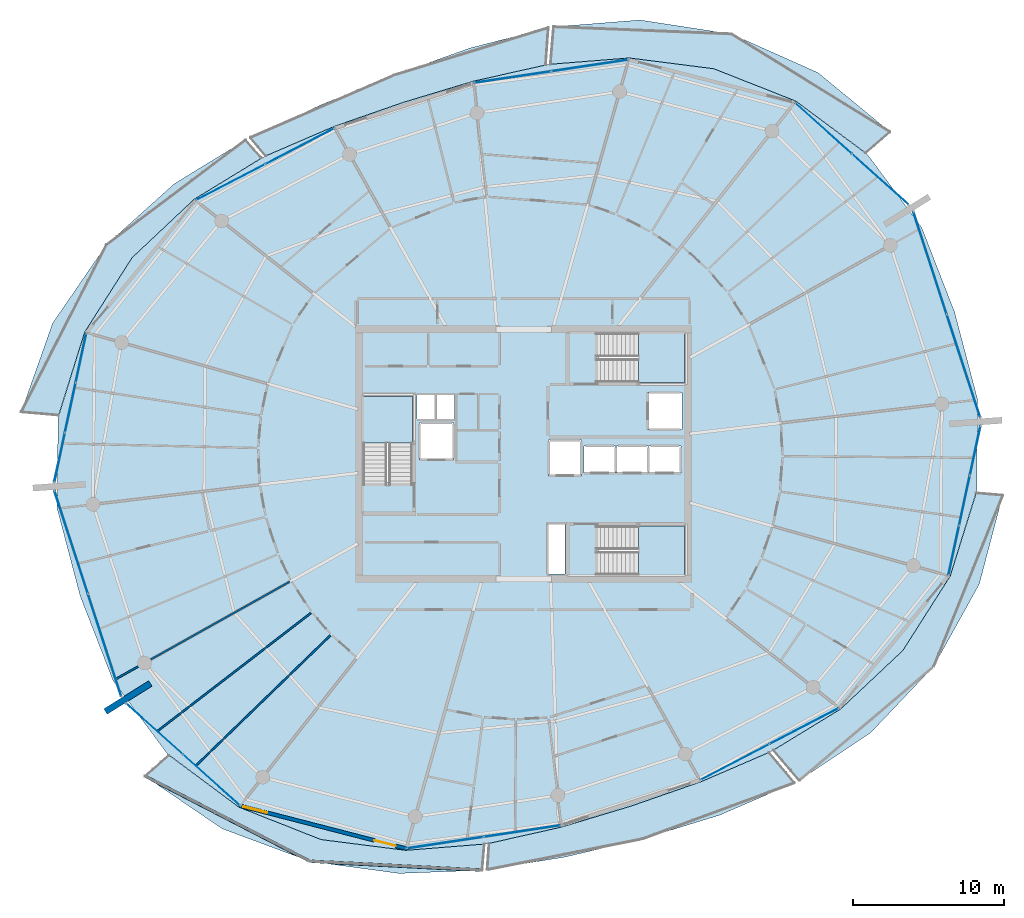
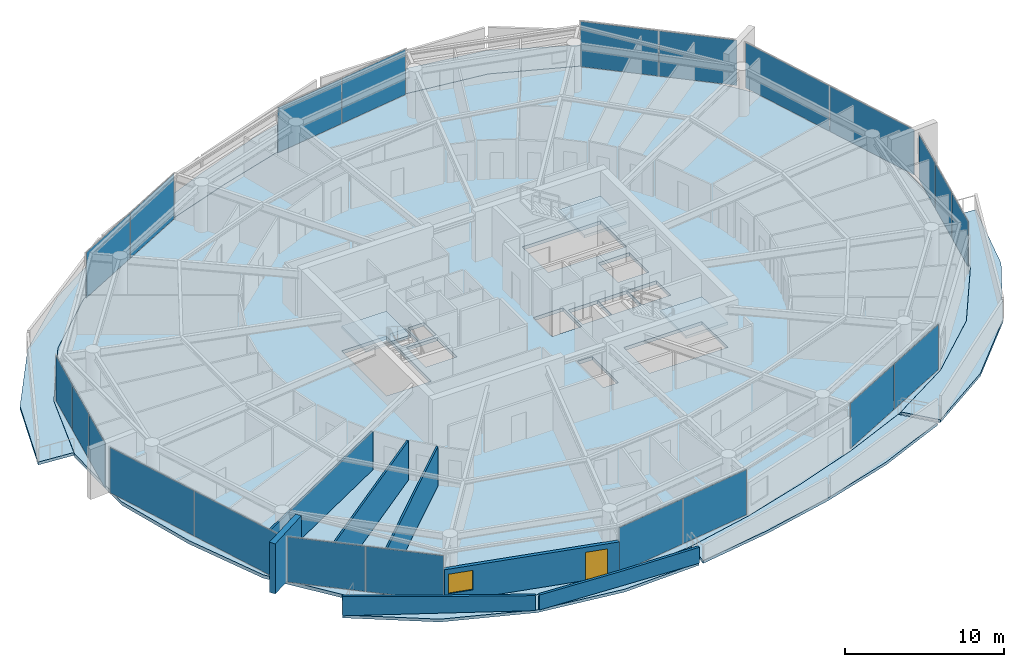
# One storey, part 16 of 29: 22 plates, 10 slabs, 7 walls, 1 door, 1 window, 2 openings, 13 elements without a shape of their own.
"""IFC4 building model written with IfcOpenShell, lengths in metres."""

from ifc_helpers import new_model, si_unit, direction, frame, frame_2d, origin, origin_2d, place, context, subcontext, project, spatial, polyline, rectangle, outline, extrude, material, layer, layer_set, type_object, element, fill, aggregate, save


model = new_model("IFC4")

# Units and contexts
model_context = context("Model", 3, precision=1e-05, world=origin(), true_north=direction((0.0, 1.0)))
body_context = subcontext(model_context, "Body", "Model", "MODEL_VIEW")
ifc_project = project(units=[si_unit("LENGTHUNIT", "METRE"), si_unit("AREAUNIT", "SQUARE_METRE"), si_unit("VOLUMEUNIT", "CUBIC_METRE"), si_unit("PLANEANGLEUNIT", "RADIAN"), si_unit("MASSUNIT", "GRAM", prefix="KILO")], contexts=[model_context])

# Site, building, storey
site_placement = place(None, origin())
site = spatial("IfcSite", under=ifc_project, at=site_placement, CompositionType="ELEMENT")
building_placement = place(site_placement, origin())
building = spatial("IfcBuilding", under=site, at=building_placement, Name="Kazma Halo Residences", CompositionType="ELEMENT")
storey_placement = place(building_placement, frame((0.0, 0.0, 286.75)))
storey = spatial("IfcBuildingStorey", under=building, at=storey_placement, Name="L72", CompositionType="ELEMENT", Elevation=286.75)

# Curtain wall, plates
ifc_material_1 = material(Name="Aluminium AW-6063 T6 and Triple-Silver Low-E Glass", Category="aluminium")
ifc_layer_1 = layer(ifc_material_1, 0.139892578125)
ifc_layer_set_1 = layer_set([ifc_layer_1], Name="Aluminium AW-6063 T6 and Triple-Silver Low-E Glass")
curtain_wall_type = type_object("IfcCurtainWallType", Name="CW-SYS-5", PredefinedType="NOTDEFINED", material=ifc_layer_set_1)
curtain_wall_1_placement = place(storey_placement, origin())
curtain_wall_1 = element("IfcCurtainWall", 1, at=curtain_wall_1_placement, inside=storey, type_object=curtain_wall_type, Name="L72 unitised curtain wall B01", PredefinedType="NOTDEFINED")
ifc_material_2 = material(Name="Clear Triple-Silver Low-E Glass IGU", Category="glass")
ifc_layer_2 = layer(ifc_material_2, 0.02587890625)
ifc_layer_set_2 = layer_set([ifc_layer_2], Name="Clear Triple-Silver Low-E Glass IGU")
plate_type = type_object("IfcPlateType", Name="CW-SYS-5-PNL", PredefinedType="CURTAIN_PANEL", material=ifc_layer_set_2)
plate_1_placement = place(storey_placement, frame((72.002685546875, 60.179443359375, 0.06005859375), z_axis=(0.0, 0.0, 1.0), x_axis=(-0.744336424671, 0.667804826958, 0.0)))
plate_1 = element("IfcPlate", 2, at=plate_1_placement, type_object=plate_type, Name="CWS-5 panel 1.1", PredefinedType="CURTAIN_PANEL", context=body_context, shape_type="SweptSolid", body=[
    extrude(rectangle(XDim=4.993408203125, YDim=0.02587890625, at=origin_2d()), origin(), (0.0, 0.0, 1.0), 3.469970703125),
])
plate_2_placement = place(storey_placement, frame((68.2412109375, 63.55419921875, 0.06005859375), z_axis=(0.0, 0.0, 1.0), x_axis=(-0.744336424671, 0.667804826958, 0.0)))
plate_2 = element("IfcPlate", 3, at=plate_2_placement, type_object=plate_type, Name="CWS-5 panel 2.1", PredefinedType="CURTAIN_PANEL", context=body_context, shape_type="SweptSolid", body=[
    extrude(rectangle(XDim=4.993408203125, YDim=0.02587890625, at=origin_2d()), origin(), (0.0, 0.0, 1.0), 3.469970703125),
])
aggregate(curtain_wall_1, [plate_1, plate_2])

curtain_wall_2_placement = place(storey_placement, origin())
curtain_wall_2 = element("IfcCurtainWall", 4, at=curtain_wall_2_placement, inside=storey, type_object=curtain_wall_type, Name="L72 unitised curtain wall B03", PredefinedType="NOTDEFINED")
plate_3_placement = place(storey_placement, frame((52.77783203125, 67.70361328125, 0.06005859375), z_axis=(0.0, 0.0, 1.0), x_axis=(-0.988882792998, -0.148697080374, 0.0)))
plate_3 = element("IfcPlate", 5, at=plate_3_placement, type_object=plate_type, Name="CWS-5 panel 1.1", PredefinedType="CURTAIN_PANEL", context=body_context, shape_type="SweptSolid", body=[
    extrude(rectangle(XDim=5.099853515625, YDim=0.02587890625, at=origin_2d()), origin(), (0.0, 0.0, 1.0), 3.469970703125),
])
plate_4_placement = place(storey_placement, frame((47.67529296875, 66.936279296875, 0.06005859375), z_axis=(0.0, 0.0, 1.0), x_axis=(-0.988882792998, -0.148697080374, 0.0)))
plate_4 = element("IfcPlate", 6, at=plate_4_placement, type_object=plate_type, Name="CWS-5 panel 2.1", PredefinedType="CURTAIN_PANEL", context=body_context, shape_type="SweptSolid", body=[
    extrude(rectangle(XDim=5.099853515625, YDim=0.02587890625, at=origin_2d()), origin(), (0.0, 0.0, 1.0), 3.469970703125),
])
aggregate(curtain_wall_2, [plate_3, plate_4])

curtain_wall_3_placement = place(storey_placement, origin())
curtain_wall_3 = element("IfcCurtainWall", 7, at=curtain_wall_3_placement, inside=storey, type_object=curtain_wall_type, Name="L72 unitised curtain wall B05", PredefinedType="NOTDEFINED")
plate_5_placement = place(storey_placement, frame((33.60546875, 62.36474609375, 0.06005859375), z_axis=(0.0, 0.0, 1.0), x_axis=(-0.887420518694, -0.460960760804, 0.0)))
plate_5 = element("IfcPlate", 8, at=plate_5_placement, type_object=plate_type, Name="CWS-5 panel 1.1", PredefinedType="CURTAIN_PANEL", context=body_context, shape_type="SweptSolid", body=[
    extrude(rectangle(XDim=5.099609375, YDim=0.02587890625, at=origin_2d()), origin(), (0.0, 0.0, 1.0), 3.469970703125),
])
plate_6_placement = place(storey_placement, frame((29.026611328125, 59.986328125, 0.06005859375), z_axis=(0.0, 0.0, 1.0), x_axis=(-0.887420518694, -0.460960760804, 0.0)))
plate_6 = element("IfcPlate", 9, at=plate_6_placement, type_object=plate_type, Name="CWS-5 panel 2.1", PredefinedType="CURTAIN_PANEL", context=body_context, shape_type="SweptSolid", body=[
    extrude(rectangle(XDim=5.099609375, YDim=0.02587890625, at=origin_2d()), origin(), (0.0, 0.0, 1.0), 3.469970703125),
])
aggregate(curtain_wall_3, [plate_5, plate_6])

curtain_wall_4_placement = place(storey_placement, origin())
curtain_wall_4 = element("IfcCurtainWall", 10, at=curtain_wall_4_placement, inside=storey, type_object=curtain_wall_type, Name="L72 unitised curtain wall B07", PredefinedType="NOTDEFINED")
plate_7_placement = place(storey_placement, frame((19.133056640625, 48.36865234375, 0.06005859375), z_axis=(0.0, 0.0, 1.0), x_axis=(-0.209657382603, -0.97777491373, 0.0)))
plate_7 = element("IfcPlate", 11, at=plate_7_placement, type_object=plate_type, Name="CWS-5 panel 1.1", PredefinedType="CURTAIN_PANEL", context=body_context, shape_type="SweptSolid", body=[
    extrude(rectangle(XDim=3.299072265625, YDim=0.02587890625, at=origin_2d()), origin(), (0.0, 0.0, 1.0), 3.469970703125),
])
plate_8_placement = place(storey_placement, frame((18.42578125, 45.069580078125, 0.06005859375), z_axis=(0.0, 0.0, 1.0), x_axis=(-0.209657382603, -0.97777491373, 0.0)))
plate_8 = element("IfcPlate", 12, at=plate_8_placement, type_object=plate_type, Name="CWS-5 panel 2.1", PredefinedType="CURTAIN_PANEL", context=body_context, shape_type="SweptSolid", body=[
    extrude(rectangle(XDim=3.3291015625, YDim=0.02587890625, at=origin_2d()), origin(), (0.0, 0.0, 1.0), 3.469970703125),
])
plate_9_placement = place(storey_placement, frame((17.71826171875, 41.7705078125, 0.06005859375), z_axis=(0.0, 0.0, 1.0), x_axis=(-0.209657382603, -0.97777491373, 0.0)))
plate_9 = element("IfcPlate", 13, at=plate_9_placement, type_object=plate_type, Name="CWS-5 panel 3.1", PredefinedType="CURTAIN_PANEL", context=body_context, shape_type="SweptSolid", body=[
    extrude(rectangle(XDim=3.299072265625, YDim=0.02587890625, at=origin_2d()), origin(), (0.0, 0.0, 1.0), 3.469970703125),
])
aggregate(curtain_wall_4, [plate_7, plate_8, plate_9])

curtain_wall_5_placement = place(storey_placement, origin())
curtain_wall_5 = element("IfcCurtainWall", 14, at=curtain_wall_5_placement, inside=storey, type_object=curtain_wall_type, Name="L72 unitised curtain wall B08", PredefinedType="NOTDEFINED")
plate_10_placement = place(storey_placement, frame((18.48486328125, 36.1787109375, 0.06005859375), z_axis=(0.0, 0.0, 1.0), x_axis=(0.309010998786, -0.951058464359, 0.0)))
plate_10 = element("IfcPlate", 15, at=plate_10_placement, type_object=plate_type, Name="CWS-5 panel 1.1", PredefinedType="CURTAIN_PANEL", context=body_context, shape_type="SweptSolid", body=[
    extrude(rectangle(XDim=7.108642578125, YDim=0.02587890625, at=origin_2d()), origin(), (0.0, 0.0, 1.0), 3.469970703125),
])
plate_11_placement = place(storey_placement, frame((20.699951171875, 29.36083984375, 0.06005859375), z_axis=(0.0, 0.0, 1.0), x_axis=(0.309010998786, -0.951058464359, 0.0)))
plate_11 = element("IfcPlate", 16, at=plate_11_placement, type_object=plate_type, Name="CWS-5 panel 2.1", PredefinedType="CURTAIN_PANEL", context=body_context, shape_type="SweptSolid", body=[
    extrude(rectangle(XDim=7.108642578125, YDim=0.02587890625, at=origin_2d()), origin(), (0.0, 0.0, 1.0), 3.469970703125),
])
aggregate(curtain_wall_5, [plate_10, plate_11])

curtain_wall_6_placement = place(storey_placement, origin())
curtain_wall_6 = element("IfcCurtainWall", 17, at=curtain_wall_6_placement, inside=storey, type_object=curtain_wall_type, Name="L72 unitised curtain wall B09", PredefinedType="NOTDEFINED")
plate_12_placement = place(storey_placement, frame((23.997314453125, 23.820556640625, 0.06005859375), z_axis=(0.0, 0.0, 1.0), x_axis=(0.744336424671, -0.667804826958, 0.0)))
plate_12 = element("IfcPlate", 18, at=plate_12_placement, type_object=plate_type, Name="CWS-5 panel 1.1", PredefinedType="CURTAIN_PANEL", context=body_context, shape_type="SweptSolid", body=[
    extrude(rectangle(XDim=4.993408203125, YDim=0.02587890625, at=origin_2d()), origin(), (0.0, 0.0, 1.0), 3.469970703125),
])
plate_13_placement = place(storey_placement, frame((27.7587890625, 20.44580078125, 0.06005859375), z_axis=(0.0, 0.0, 1.0), x_axis=(0.744336424671, -0.667804826958, 0.0)))
plate_13 = element("IfcPlate", 19, at=plate_13_placement, type_object=plate_type, Name="CWS-5 panel 2.1", PredefinedType="CURTAIN_PANEL", context=body_context, shape_type="SweptSolid", body=[
    extrude(rectangle(XDim=4.993408203125, YDim=0.02587890625, at=origin_2d()), origin(), (0.0, 0.0, 1.0), 3.469970703125),
])
aggregate(curtain_wall_6, [plate_12, plate_13])

curtain_wall_7_placement = place(storey_placement, origin())
curtain_wall_7 = element("IfcCurtainWall", 20, at=curtain_wall_7_placement, inside=storey, type_object=curtain_wall_type, Name="L72 unitised curtain wall B11", PredefinedType="NOTDEFINED")
plate_14_placement = place(storey_placement, frame((43.22216796875, 16.29638671875, 0.06005859375), z_axis=(0.0, 0.0, 1.0), x_axis=(0.988882792998, 0.148697080374, 0.0)))
plate_14 = element("IfcPlate", 21, at=plate_14_placement, type_object=plate_type, Name="CWS-5 panel 1.1", PredefinedType="CURTAIN_PANEL", context=body_context, shape_type="SweptSolid", body=[
    extrude(rectangle(XDim=5.099853515625, YDim=0.02587890625, at=origin_2d()), origin(), (0.0, 0.0, 1.0), 3.469970703125),
])
plate_15_placement = place(storey_placement, frame((48.32470703125, 17.063720703125, 0.06005859375), z_axis=(0.0, 0.0, 1.0), x_axis=(0.988882792998, 0.148697080374, 0.0)))
plate_15 = element("IfcPlate", 22, at=plate_15_placement, type_object=plate_type, Name="CWS-5 panel 2.1", PredefinedType="CURTAIN_PANEL", context=body_context, shape_type="SweptSolid", body=[
    extrude(rectangle(XDim=5.099853515625, YDim=0.02587890625, at=origin_2d()), origin(), (0.0, 0.0, 1.0), 3.469970703125),
])
aggregate(curtain_wall_7, [plate_14, plate_15])

curtain_wall_8_placement = place(storey_placement, origin())
curtain_wall_8 = element("IfcCurtainWall", 23, at=curtain_wall_8_placement, inside=storey, type_object=curtain_wall_type, Name="L72 unitised curtain wall B13", PredefinedType="NOTDEFINED")
plate_16_placement = place(storey_placement, frame((62.39453125, 21.63525390625, 0.06005859375), z_axis=(0.0, 0.0, 1.0), x_axis=(0.887420518694, 0.460960760804, 0.0)))
plate_16 = element("IfcPlate", 24, at=plate_16_placement, type_object=plate_type, Name="CWS-5 panel 1.1", PredefinedType="CURTAIN_PANEL", context=body_context, shape_type="SweptSolid", body=[
    extrude(rectangle(XDim=5.099609375, YDim=0.02587890625, at=origin_2d()), origin(), (0.0, 0.0, 1.0), 3.469970703125),
])
plate_17_placement = place(storey_placement, frame((66.973388671875, 24.013671875, 0.06005859375), z_axis=(0.0, 0.0, 1.0), x_axis=(0.887420518694, 0.460960760804, 0.0)))
plate_17 = element("IfcPlate", 25, at=plate_17_placement, type_object=plate_type, Name="CWS-5 panel 2.1", PredefinedType="CURTAIN_PANEL", context=body_context, shape_type="SweptSolid", body=[
    extrude(rectangle(XDim=5.099609375, YDim=0.02587890625, at=origin_2d()), origin(), (0.0, 0.0, 1.0), 3.469970703125),
])
aggregate(curtain_wall_8, [plate_16, plate_17])

curtain_wall_9_placement = place(storey_placement, origin())
curtain_wall_9 = element("IfcCurtainWall", 26, at=curtain_wall_9_placement, inside=storey, type_object=curtain_wall_type, Name="L72 unitised curtain wall B15", PredefinedType="NOTDEFINED")
plate_18_placement = place(storey_placement, frame((76.866943359375, 35.63134765625, 0.06005859375), z_axis=(0.0, 0.0, 1.0), x_axis=(0.209657382603, 0.97777491373, 0.0)))
plate_18 = element("IfcPlate", 27, at=plate_18_placement, type_object=plate_type, Name="CWS-5 panel 1.1", PredefinedType="CURTAIN_PANEL", context=body_context, shape_type="SweptSolid", body=[
    extrude(rectangle(XDim=3.299072265625, YDim=0.02587890625, at=origin_2d()), origin(), (0.0, 0.0, 1.0), 3.469970703125),
])
plate_19_placement = place(storey_placement, frame((77.57421875, 38.930419921875, 0.06005859375), z_axis=(0.0, 0.0, 1.0), x_axis=(0.209657382603, 0.97777491373, 0.0)))
plate_19 = element("IfcPlate", 28, at=plate_19_placement, type_object=plate_type, Name="CWS-5 panel 2.1", PredefinedType="CURTAIN_PANEL", context=body_context, shape_type="SweptSolid", body=[
    extrude(rectangle(XDim=3.3291015625, YDim=0.02587890625, at=origin_2d()), origin(), (0.0, 0.0, 1.0), 3.469970703125),
])
plate_20_placement = place(storey_placement, frame((78.28173828125, 42.2294921875, 0.06005859375), z_axis=(0.0, 0.0, 1.0), x_axis=(0.209657382603, 0.97777491373, 0.0)))
plate_20 = element("IfcPlate", 29, at=plate_20_placement, type_object=plate_type, Name="CWS-5 panel 3.1", PredefinedType="CURTAIN_PANEL", context=body_context, shape_type="SweptSolid", body=[
    extrude(rectangle(XDim=3.299072265625, YDim=0.02587890625, at=origin_2d()), origin(), (0.0, 0.0, 1.0), 3.469970703125),
])
aggregate(curtain_wall_9, [plate_18, plate_19, plate_20])

curtain_wall_10_placement = place(storey_placement, origin())
curtain_wall_10 = element("IfcCurtainWall", 30, at=curtain_wall_10_placement, inside=storey, type_object=curtain_wall_type, Name="L72 unitised curtain wall B16", PredefinedType="NOTDEFINED")
plate_21_placement = place(storey_placement, frame((77.51513671875, 47.8212890625, 0.06005859375), z_axis=(0.0, 0.0, 1.0), x_axis=(-0.309010998786, 0.951058464359, 0.0)))
plate_21 = element("IfcPlate", 31, at=plate_21_placement, type_object=plate_type, Name="CWS-5 panel 1.1", PredefinedType="CURTAIN_PANEL", context=body_context, shape_type="SweptSolid", body=[
    extrude(rectangle(XDim=7.108642578125, YDim=0.02587890625, at=origin_2d()), origin(), (0.0, 0.0, 1.0), 3.469970703125),
])
plate_22_placement = place(storey_placement, frame((75.300048828125, 54.63916015625, 0.06005859375), z_axis=(0.0, 0.0, 1.0), x_axis=(-0.309010998786, 0.951058464359, 0.0)))
plate_22 = element("IfcPlate", 32, at=plate_22_placement, type_object=plate_type, Name="CWS-5 panel 2.1", PredefinedType="CURTAIN_PANEL", context=body_context, shape_type="SweptSolid", body=[
    extrude(rectangle(XDim=7.108642578125, YDim=0.02587890625, at=origin_2d()), origin(), (0.0, 0.0, 1.0), 3.469970703125),
])
aggregate(curtain_wall_10, [plate_21, plate_22])

# Slabs
ifc_material_3 = material(Name="White Concrete C50/60", Category="concrete")
ifc_layer_3 = layer(ifc_material_3, 0.219970703125)
ifc_layer_set_3 = layer_set([ifc_layer_3], Name="White Concrete C50/60")
slab_type_1 = type_object("IfcSlabType", Name="SLB-BAL-WAVE-210", PredefinedType="FLOOR", material=ifc_layer_set_3)
slab_1_placement = place(storey_placement, frame((0.0, 0.0, -0.219970703125)))
element("IfcSlab", 33, at=slab_1_placement, inside=storey, type_object=slab_type_1, Name="L72 NE cantilevered wave balcony slab", PredefinedType="FLOOR", context=body_context, shape_type="SweptSolid", body=[
    extrude(outline(polyline([(71.0400390625, 61.9228515625), (66.41357421875, 65.357421875), (60.990478515625, 67.49560546875), (55.3916015625, 68.208984375), (50.188720703125, 67.794189453125), (50.398681640625, 70.27001953125), (56.099609375, 70.71923828125), (62.1611328125, 69.79296875), (67.89111328125, 67.23193359375), (72.651611328125, 63.31640625), (71.0400390625, 61.9228515625)])), origin(), (0.0, 0.0, 1.0), 0.219970703125),
])
slab_2_placement = place(storey_placement, frame((0.0, 0.0, -0.219970703125)))
element("IfcSlab", 34, at=slab_2_placement, inside=storey, type_object=slab_type_1, Name="L72 NNW cantilevered wave balcony slab", PredefinedType="FLOOR", context=body_context, shape_type="SweptSolid", body=[
    extrude(outline(polyline([(49.8681640625, 67.74609375), (45.080078125, 66.66943359375), (40.43994140625, 65.267333984375), (35.86181640625, 63.67431640625), (31.35546875, 61.731201171875), (30.333251953125, 62.94287109375), (35.048095703125, 65.12744140625), (39.853271484375, 67.073486328125), (44.82177734375, 68.853759765625), (50.046630859375, 70.205810546875), (49.8681640625, 67.74609375)])), origin(), (0.0, 0.0, 1.0), 0.219970703125),
])
slab_3_placement = place(storey_placement, frame((0.0, 0.0, -0.219970703125)))
element("IfcSlab", 35, at=slab_3_placement, inside=storey, type_object=slab_type_1, Name="L72 NW cantilevered wave balcony slab", PredefinedType="FLOOR", context=body_context, shape_type="SweptSolid", body=[
    extrude(outline(polyline([(31.06787109375, 61.58154296875), (26.614501953125, 58.85888671875), (22.50439453125, 54.990478515625), (19.3740234375, 50.0732421875), (17.64990234375, 44.5751953125), (15.177001953125, 44.78515625), (17.257080078125, 50.67041015625), (20.8125, 55.852783203125), (25.306640625, 59.889892578125), (30.027587890625, 62.784423828125), (31.06787109375, 61.58154296875)])), origin(), (0.0, 0.0, 1.0), 0.219970703125),
])
slab_4_placement = place(storey_placement, frame((0.0, 0.0, -0.219970703125)))
element("IfcSlab", 36, at=slab_4_placement, inside=storey, type_object=slab_type_1, Name="L72 SW cantilevered wave balcony slab", PredefinedType="FLOOR", context=body_context, shape_type="SweptSolid", body=[
    extrude(outline(polyline([(24.9599609375, 22.0771484375), (29.58642578125, 18.642578125), (35.009521484375, 16.50439453125), (40.6083984375, 15.791015625), (45.811279296875, 16.205810546875), (45.66455078125, 14.476318359375), (40.17724609375, 14.2626953125), (34.27490234375, 15.063232421875), (28.466552734375, 17.221923828125), (23.36279296875, 20.6962890625), (24.9599609375, 22.0771484375)])), origin(), (0.0, 0.0, 1.0), 0.219970703125),
])
slab_5_placement = place(storey_placement, frame((0.0, 0.0, -0.219970703125)))
element("IfcSlab", 37, at=slab_5_placement, inside=storey, type_object=slab_type_1, Name="L72 SSE cantilevered wave balcony slab", PredefinedType="FLOOR", context=body_context, shape_type="SweptSolid", body=[
    extrude(outline(polyline([(46.1318359375, 16.25390625), (50.919921875, 17.33056640625), (55.56005859375, 18.732666015625), (60.13818359375, 20.32568359375), (64.64453125, 22.268798828125), (66.33740234375, 20.26220703125), (61.37451171875, 18.117919921875), (56.269775390625, 16.548095703125), (51.154541015625, 15.347900390625), (46.005615234375, 14.513916015625), (46.1318359375, 16.25390625)])), origin(), (0.0, 0.0, 1.0), 0.219970703125),
])
slab_6_placement = place(storey_placement, frame((0.0, 0.0, -0.219970703125)))
element("IfcSlab", 38, at=slab_6_placement, inside=storey, type_object=slab_type_1, Name="L72 SE cantilevered wave balcony slab", PredefinedType="FLOOR", context=body_context, shape_type="SweptSolid", body=[
    extrude(outline(polyline([(64.93212890625, 22.41845703125), (69.385498046875, 25.14111328125), (73.49560546875, 29.009521484375), (76.6259765625, 33.9267578125), (78.35009765625, 39.4248046875), (80.10400390625, 39.27587890625), (78.547607421875, 33.384765625), (75.5419921875, 27.966552734375), (71.37255859375, 23.57470703125), (66.65234375, 20.428955078125), (64.93212890625, 22.41845703125)])), origin(), (0.0, 0.0, 1.0), 0.219970703125),
])
ifc_material_4 = material(Name="Concrete C50/60", Category="concrete")
ifc_layer_4 = layer(ifc_material_4, 0.260009765625)
ifc_layer_set_4 = layer_set([ifc_layer_4], Name="Concrete C50/60")
slab_type_2 = type_object("IfcSlabType", Name="SLB-RES-260", PredefinedType="FLOOR", material=ifc_layer_set_4)
slab_7_placement = place(storey_placement, frame((0.0, 0.0, -0.260009765625)))
element("IfcSlab", 39, at=slab_7_placement, inside=storey, type_object=slab_type_2, Name="L72 structural floor slab", PredefinedType="FLOOR", context=body_context, shape_type="SweptSolid", body=[
    extrude(outline(polyline([(76.9189453125, 51.396240234375), (74.749755859375, 56.980712890625), (71.180419921875, 61.7978515625), (66.412109375, 65.355712890625), (60.98974609375, 67.49365234375), (55.39111328125, 68.207275390625), (50.02880859375, 67.7783203125), (45.080322265625, 66.66748046875), (40.440673828125, 65.265380859375), (35.86279296875, 63.672607421875), (31.20654296875, 61.66259765625), (26.6162109375, 58.857666015625), (22.50634765625, 54.98974609375), (19.3759765625, 50.07275390625), (17.60986328125, 44.391845703125), (17.5537109375, 38.396484375), (19.0810546875, 32.603759765625), (21.250244140625, 27.019287109375), (24.819580078125, 22.2021484375), (29.587890625, 18.644287109375), (35.01025390625, 16.50634765625), (40.60888671875, 15.792724609375), (45.97119140625, 16.2216796875), (50.919677734375, 17.33251953125), (55.559326171875, 18.734619140625), (60.13720703125, 20.327392578125), (64.79345703125, 22.33740234375), (69.3837890625, 25.142333984375), (73.49365234375, 29.01025390625), (76.6240234375, 33.92724609375), (78.39013671875, 39.608154296875), (78.4462890625, 45.603515625), (76.9189453125, 51.396240234375)]), holes=[polyline([(37.800048828125, 40.110107421875), (41.050048828125, 40.110107421875), (41.050048828125, 45.800048828125), (37.800048828125, 45.800048828125), (37.800048828125, 40.110107421875)]), polyline([(53.360107421875, 46.75), (59.050048828125, 46.75), (59.050048828125, 50.0), (53.360107421875, 50.0), (53.360107421875, 46.75)]), polyline([(53.360107421875, 34.0), (59.050048828125, 34.0), (59.050048828125, 37.25), (53.360107421875, 37.25), (53.360107421875, 34.0)]), polyline([(41.52001953125, 41.6201171875), (43.780029296875, 41.6201171875), (43.780029296875, 44.080078125), (41.52001953125, 44.080078125), (41.52001953125, 41.6201171875)]), polyline([(56.6201171875, 43.6201171875), (58.8798828125, 43.6201171875), (58.8798828125, 46.080078125), (56.6201171875, 46.080078125), (56.6201171875, 43.6201171875)]), polyline([(52.39501953125, 40.7451171875), (54.5048828125, 40.7451171875), (54.5048828125, 42.554931640625), (52.39501953125, 42.554931640625), (52.39501953125, 40.7451171875)]), polyline([(54.544921875, 40.7451171875), (56.655029296875, 40.7451171875), (56.655029296875, 42.554931640625), (54.544921875, 42.554931640625), (54.544921875, 40.7451171875)]), polyline([(56.695068359375, 40.7451171875), (58.804931640625, 40.7451171875), (58.804931640625, 42.554931640625), (56.695068359375, 42.554931640625), (56.695068359375, 40.7451171875)]), polyline([(50.070068359375, 40.570068359375), (52.22998046875, 40.570068359375), (52.22998046875, 42.929931640625), (50.070068359375, 42.929931640625), (50.070068359375, 40.570068359375)]), polyline([(41.360107421875, 44.340087890625), (42.5400390625, 44.340087890625), (42.5400390625, 45.89990234375), (41.360107421875, 45.89990234375), (41.360107421875, 44.340087890625)]), polyline([(42.659912109375, 44.340087890625), (43.840087890625, 44.340087890625), (43.840087890625, 45.89990234375), (42.659912109375, 45.89990234375), (42.659912109375, 44.340087890625)]), polyline([(50.06005859375, 34.080078125), (51.159912109375, 34.080078125), (51.159912109375, 37.3798828125), (50.06005859375, 37.3798828125), (50.06005859375, 34.080078125)])]), origin(), (0.0, 0.0, 1.0), 0.260009765625),
])

# Stair, slab
stair_type = type_object("IfcStairType", Name="STR-RES2", PredefinedType="HALF_TURN_STAIR", material=ifc_material_4)
stair_1_placement = place(storey_placement, origin())
stair_1 = element("IfcStair", 40, at=stair_1_placement, inside=storey, type_object=stair_type, Name="L72 Core exit stair ST-01", PredefinedType="HALF_TURN_STAIR")
ifc_layer_5 = layer(ifc_material_4, 0.199951171875)
ifc_layer_set_5 = layer_set([ifc_layer_5], Name="Concrete C50/60")
slab_type_3 = type_object("IfcSlabType", Name="SLB-STAIR-LND-200", PredefinedType="LANDING", material=ifc_layer_set_5)
slab_8_placement = place(storey_placement, frame((0.0, 0.0, 1.72509765625)))
slab_8 = element("IfcSlab", 41, at=slab_8_placement, type_object=slab_type_3, Name="ST-01 landing 1", PredefinedType="LANDING", context=body_context, shape_type="SweptSolid", body=[
    extrude(outline(polyline([(41.050048828125, 42.75), (41.050048828125, 45.800048828125), (37.800048828125, 45.800048828125), (37.800048828125, 42.75), (41.050048828125, 42.75)])), origin(), (0.0, 0.0, 1.0), 0.199951171875),
])
aggregate(stair_1, [slab_8])

stair_2_placement = place(storey_placement, origin())
stair_2 = element("IfcStair", 42, at=stair_2_placement, inside=storey, type_object=stair_type, Name="L72 Core exit stair ST-02", PredefinedType="HALF_TURN_STAIR")
slab_9_placement = place(storey_placement, frame((0.0, 0.0, 1.72509765625)))
slab_9 = element("IfcSlab", 43, at=slab_9_placement, type_object=slab_type_3, Name="ST-02 landing 1", PredefinedType="LANDING", context=body_context, shape_type="SweptSolid", body=[
    extrude(outline(polyline([(56.0, 46.75), (59.050048828125, 46.75), (59.050048828125, 50.0), (56.0, 50.0), (56.0, 46.75)])), origin(), (0.0, 0.0, 1.0), 0.199951171875),
])
aggregate(stair_2, [slab_9])

stair_3_placement = place(storey_placement, origin())
stair_3 = element("IfcStair", 44, at=stair_3_placement, inside=storey, type_object=stair_type, Name="L72 Core exit stair ST-03", PredefinedType="HALF_TURN_STAIR")
slab_10_placement = place(storey_placement, frame((0.0, 0.0, 1.72509765625)))
slab_10 = element("IfcSlab", 45, at=slab_10_placement, type_object=slab_type_3, Name="ST-03 landing 1", PredefinedType="LANDING", context=body_context, shape_type="SweptSolid", body=[
    extrude(outline(polyline([(56.0, 34.0), (59.050048828125, 34.0), (59.050048828125, 37.25), (56.0, 37.25), (56.0, 34.0)])), origin(), (0.0, 0.0, 1.0), 0.199951171875),
])
aggregate(stair_3, [slab_10])

# Walls
ifc_material_5 = material(Name="White Concrete C50/60 Balustrade", Category="concrete")
ifc_layer_6 = layer(ifc_material_5, 0.179931640625)
ifc_layer_set_6 = layer_set([ifc_layer_6], Name="White Concrete C50/60 Balustrade")
wall_type_1 = type_object("IfcWallType", Name="WL-BAL-WAVE-180", PredefinedType="PARAPET", material=ifc_layer_set_6)
wall_1_placement = place(storey_placement, frame((23.36279296875, 20.6962890625, 0.0), z_axis=(0.0, 0.0, 1.0), x_axis=(0.888586869338, -0.458708377556, 0.0)))
element("IfcWall", 46, at=wall_1_placement, inside=storey, type_object=wall_type_1, Name="L72 white wave balustrade wall SW.1", PredefinedType="PARAPET", context=body_context, shape_type="SweptSolid", body=[
    extrude(outline(polyline([(0.0, 0.0), (12.160400390625, 0.0), (12.160400390625, 1.14794921875), (6.080078125, 1.283935546875), (0.0, 1.48291015625), (0.0, 0.0)])), frame((0.0, 0.08984375, 0.0), z_axis=(0.0, -1.0, 0.0), x_axis=(1.0, 0.0, 0.0)), (0.0, 0.0, 1.0), 0.179931640625),
])
wall_2_placement = place(storey_placement, frame((34.394775390625, 15.056884765625, 0.0), z_axis=(0.0, 0.0, 1.0), x_axis=(0.998675719667, -0.051447127692, 0.0)))
element("IfcWall", 47, at=wall_2_placement, inside=storey, type_object=wall_type_1, Name="L72 white wave balustrade wall SW.2", PredefinedType="PARAPET", context=body_context, shape_type="SweptSolid", body=[
    extrude(outline(polyline([(0.0, 0.0), (11.28466796875, 0.0), (11.284912109375, 1.22412109375), (5.642333984375, 1.126953125), (0.0, 1.14794921875), (0.0, 0.0)])), frame((0.0, 0.08984375, 0.0), z_axis=(0.0, -1.0, 0.0), x_axis=(1.0, 0.0, 0.0)), (0.0, 0.0, 1.0), 0.179931640625),
])
ifc_material_6 = material(Name="Pale Concrete C60/75", Category="concrete")
ifc_layer_7 = layer(ifc_material_6, 0.419921875)
ifc_layer_set_7 = layer_set([ifc_layer_7], Name="Pale Concrete C60/75")
wall_type_2 = type_object("IfcWallType", Name="WL-BLADE-420", PredefinedType="SOLIDWALL", material=ifc_layer_set_7)
wall_3_placement = place(storey_placement, frame((23.718505859375, 26.827392578125, 0.0), z_axis=(0.0, 0.0, 1.0), x_axis=(-0.848033572426, -0.529942506352, 0.0)))
element("IfcWall", 48, at=wall_3_placement, inside=storey, type_object=wall_type_2, Name="L72 pale concrete structural blade fin wall BW-03", PredefinedType="SOLIDWALL", context=body_context, shape_type="SweptSolid", body=[
    extrude(rectangle(XDim=3.5, YDim=0.419921875, at=frame_2d((1.75, 0.0))), origin(), (0.0, 0.0, 1.0), 3.85009765625),
])

# Wall, openings, door, window
ifc_material_7 = material(Name="Insulated Pale-Metal Composite Wall")
ifc_layer_8 = layer(ifc_material_7, 0.239990234375)
ifc_layer_set_8 = layer_set([ifc_layer_8], Name="Insulated Pale-Metal Composite Wall")
wall_type_3 = type_object("IfcWallType", Name="WL-EXT-HOST-240", PredefinedType="SOLIDWALL", material=ifc_layer_set_8)
wall_4_placement = place(storey_placement, frame((29.613525390625, 18.7509765625, 0.0), z_axis=(0.0, 0.0, 1.0), x_axis=(0.968343758421, -0.249620442927, 0.0)))
wall_4 = element("IfcWall", 49, at=wall_4_placement, inside=storey, type_object=wall_type_3, Name="L72 exterior terrace-access wall B10", PredefinedType="SOLIDWALL", context=body_context, shape_type="SweptSolid", body=[
    extrude(rectangle(XDim=11.438232421875, YDim=0.239990234375, at=frame_2d((5.71923828125, 0.0))), origin(), (0.0, 0.0, 1.0), 2.5400390625),
])
opening_1_placement = place(wall_4_placement, frame((9.21826171875, 0.0, 0.0)))
opening_1 = element("IfcOpeningElement", 50, at=opening_1_placement, cuts=wall_4, Name="Opening DTR-1600", PredefinedType="OPENING", context=body_context, shape_type="SweptSolid", body=[
    extrude(rectangle(XDim=1.449951171875, YDim=2.14990234375, at=frame_2d((0.72509765625, 1.074951171875))), frame((0.0, 0.1298828125, 0.0), z_axis=(0.0, -1.0, 0.0), x_axis=(1.0, 0.0, 0.0)), (0.0, 0.0, 1.0), 0.260009765625),
])
opening_2_placement = place(wall_4_placement, frame((0.280029296875, 0.0, 0.64990234375)))
opening_2 = element("IfcOpeningElement", 51, at=opening_2_placement, cuts=wall_4, Name="Opening W-1800", PredefinedType="OPENING", context=body_context, shape_type="SweptSolid", body=[
    extrude(rectangle(XDim=1.60009765625, YDim=1.5, at=frame_2d((0.800048828125, 0.75))), frame((0.0, 0.1298828125, 0.0), z_axis=(0.0, -1.0, 0.0), x_axis=(1.0, 0.0, 0.0)), (0.0, 0.0, 1.0), 0.260009765625),
])
ifc_material_8 = material(Name="Aluminium AW-6063 T6 Double-Glazed Terrace Door", Category="aluminium")
door_type = type_object("IfcDoorType", Name="DR-EXT-TERR-1600", OperationType="NOTDEFINED", PredefinedType="DOOR", material=ifc_material_8)
door_placement = place(opening_1_placement, origin())
door = element("IfcDoor", 52, at=door_placement, inside=storey, type_object=door_type, Name="L72 B10 balcony terrace door", OperationType="DOUBLE_DOOR_SLIDING", OverallHeight=2.14990234375, OverallWidth=1.449951171875, PredefinedType="DOOR", context=body_context, shape_type="SweptSolid", body=[
    extrude(rectangle(XDim=1.449951171875, YDim=2.14990234375, at=frame_2d((0.72509765625, 1.074951171875))), frame((0.0, 0.02490234375, 0.0), z_axis=(0.0, -1.0, 0.0), x_axis=(1.0, 0.0, 0.0)), (0.0, 0.0, 1.0), 0.050048828125),
])
fill(opening_1, door)
ifc_material_9 = material(Name="Clear Triple-Silver Low-E Glass in Aluminium AW-6063 T6 Frame", Category="aluminium")
window_type = type_object("IfcWindowType", Name="WIN-RES-1800", PartitioningType="DOUBLE_PANEL_VERTICAL", PredefinedType="WINDOW", material=ifc_material_9)
window_placement = place(opening_2_placement, origin())
window = element("IfcWindow", 53, at=window_placement, inside=storey, type_object=window_type, Name="L72 B10 apartment window", OverallHeight=1.5, OverallWidth=1.60009765625, PartitioningType="SINGLE_PANEL", PredefinedType="WINDOW", context=body_context, shape_type="SweptSolid", body=[
    extrude(rectangle(XDim=1.60009765625, YDim=1.5, at=frame_2d((0.800048828125, 0.75))), frame((0.0, 0.030029296875, 0.0), z_axis=(0.0, -1.0, 0.0), x_axis=(1.0, 0.0, 0.0)), (0.0, 0.0, 1.0), 0.06005859375),
])
fill(opening_2, window)

# Walls
ifc_material_10 = material(Name="Gypsum Plasterboard Partition")
ifc_layer_9 = layer(ifc_material_10, 0.125)
ifc_layer_set_9 = layer_set([ifc_layer_9], Name="Gypsum Plasterboard Partition")
wall_type_4 = type_object("IfcWallType", Name="WL-PART-125", PredefinedType="PARTITIONING", material=ifc_layer_set_9)
wall_5_placement = place(storey_placement, frame((32.94775390625, 33.5703125, 0.0), z_axis=(0.0, 0.0, 1.0), x_axis=(-0.872495274329, -0.488622549903, 0.0)))
element("IfcWall", 54, at=wall_5_placement, inside=storey, type_object=wall_type_4, Name="L72 Apartment 1 radial partition 8", PredefinedType="PARTITIONING", context=body_context, shape_type="SweptSolid", body=[
    extrude(rectangle(XDim=13.177734375, YDim=0.125, at=frame_2d((6.5888671875, 0.0))), origin(), (0.0, 0.0, 1.0), 2.95703125),
])
wall_6_placement = place(storey_placement, frame((34.334716796875, 31.48583984375, 0.0), z_axis=(0.0, 0.0, 1.0), x_axis=(-0.792560168622, -0.609793718493, 0.0)))
element("IfcWall", 55, at=wall_6_placement, inside=storey, type_object=wall_type_4, Name="L72 Apartment 1 bay wall 1 8", PredefinedType="PARTITIONING", context=body_context, shape_type="SweptSolid", body=[
    extrude(rectangle(XDim=12.7998046875, YDim=0.125, at=frame_2d((6.39990234375, 0.0))), origin(), (0.0, 0.0, 1.0), 3.030029296875),
])
wall_7_placement = place(storey_placement, frame((35.6181640625, 30.001220703125, 0.0), z_axis=(0.0, 0.0, 1.0), x_axis=(-0.718124899013, -0.695914239988, 0.0)))
element("IfcWall", 56, at=wall_7_placement, inside=storey, type_object=wall_type_4, Name="L72 Apartment 1 bay wall 2 8", PredefinedType="PARTITIONING", context=body_context, shape_type="SweptSolid", body=[
    extrude(rectangle(XDim=12.365966796875, YDim=0.125, at=frame_2d((6.18310546875, 0.0))), origin(), (0.0, 0.0, 1.0), 3.030029296875),
])

save(model, "model.ifc")
